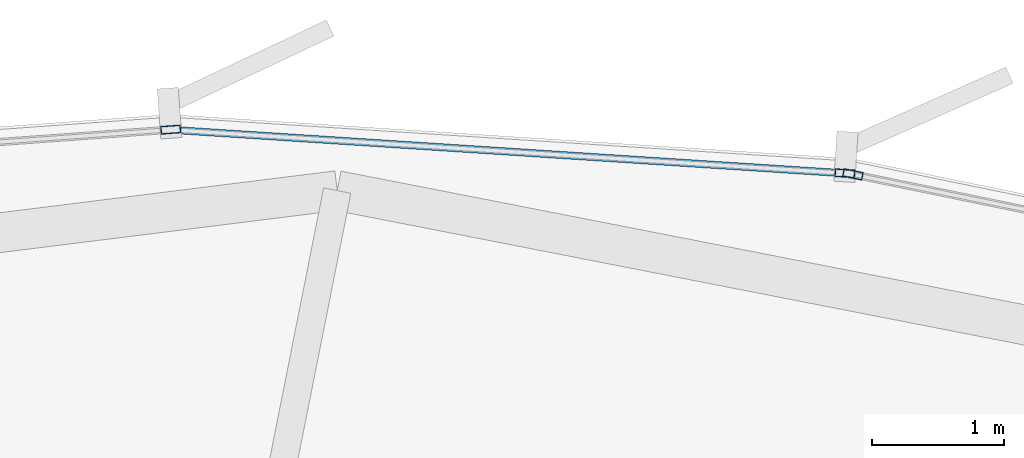
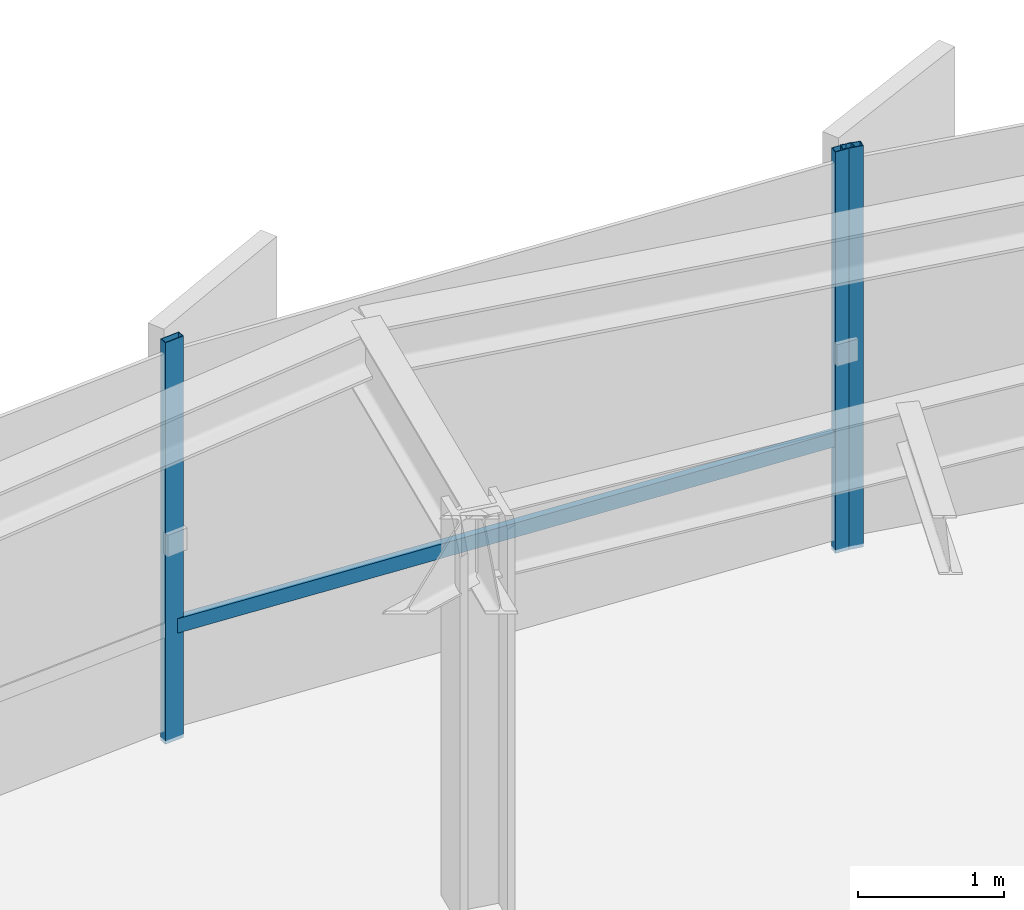
# One storey, part 27 of 35: 4 members, 2 elements without a shape of their own.
"""IFC4 building model written with IfcOpenShell, lengths in metres."""

from ifc_helpers import new_model, si_unit, direction, frame, origin, origin_2d, place, context, subcontext, project, spatial, hollow_rectangle, extrude, source, transform, mapped, material, layer, layer_set, material_profile, profile_set, type_object, element, aggregate, save


model = new_model("IFC4")

# Units and contexts
model_context = context("Model", 3, precision=1e-05, world=origin(), true_north=direction((0.0, 1.0)))
body_context = subcontext(model_context, "Body", "Model", "MODEL_VIEW")
ifc_project = project(units=[si_unit("LENGTHUNIT", "METRE"), si_unit("AREAUNIT", "SQUARE_METRE"), si_unit("VOLUMEUNIT", "CUBIC_METRE"), si_unit("PLANEANGLEUNIT", "RADIAN"), si_unit("MASSUNIT", "GRAM", prefix="KILO"), si_unit("THERMODYNAMICTEMPERATUREUNIT", "KELVIN")], contexts=[model_context])

# Site, building, storey
site_placement = place(None, origin())
site = spatial("IfcSite", under=ifc_project, at=site_placement, CompositionType="ELEMENT")
building_placement = place(site_placement, origin())
building = spatial("IfcBuilding", under=site, at=building_placement, Name="Kethvar Cultural Tower", CompositionType="ELEMENT")
storey_placement = place(building_placement, frame((0.0, 0.0, 100.0)))
storey = spatial("IfcBuildingStorey", under=building, at=storey_placement, Name="L24", CompositionType="ELEMENT", Elevation=100.0)

# Curtain wall, member
ifc_material = material(Name="Aluminium 6063-T6", Category="aluminium")
ifc_layer = layer(ifc_material, 0.179931640625, Name="Aluminium 6063-T6", Category="aluminium")
ifc_layer_set = layer_set([ifc_layer], Name="Aluminium 6063-T6 (180 mm)")
curtain_wall_type = type_object("IfcCurtainWallType", Name="CW-SYS-03-Z2", PredefinedType="NOTDEFINED", material=ifc_layer_set)
curtain_wall_1_placement = place(storey_placement, origin())
curtain_wall_1 = element("IfcCurtainWall", 1, at=curtain_wall_1_placement, inside=storey, type_object=curtain_wall_type, Name="L24 Curtain Wall Run 01", PredefinedType="NOTDEFINED")
ifc_material_profile_1 = material_profile(ifc_material, hollow_rectangle(XDim=0.06005859375, YDim=0.14990234375, WallThickness=0.0048828125, at=origin_2d()), Name="Aluminium 6063-T6 — RHS150x60x5")
ifc_profile_set_1 = profile_set([ifc_material_profile_1], Name="Aluminium 6063-T6 — RHS150x60x5")
member_type_1 = type_object("IfcMemberType", Name="CW-SYS-03-Z2-MUL", PredefinedType="MULLION", material=ifc_profile_set_1)
shared_shape_1 = source(origin(), body_context, "Body", "SweptSolid", [
    extrude(hollow_rectangle(XDim=0.06005859375, YDim=0.14990234375, WallThickness=0.0048828125, at=origin_2d()), origin(), (0.0, 0.0, 1.0), 3.35009765625),
])
member_1_placement = place(storey_placement, frame((55.44091796875, 51.725341796875, 0.0), z_axis=(0.0, 0.0, 1.0), x_axis=(-0.200924047346, -0.97960682276, 0.0)))
member_1 = element("IfcMember", 2, at=member_1_placement, type_object=member_type_1, Name="CW-L24-R01 Mullion 7", PredefinedType="MULLION", context=body_context, shape_type="MappedRepresentation", body=[
    mapped(shared_shape_1, transform((0.0, 0.0, 0.0), scale=1.0)),
])
aggregate(curtain_wall_1, [member_1])

# Curtain wall, members
curtain_wall_2_placement = place(storey_placement, origin())
curtain_wall_2 = element("IfcCurtainWall", 3, at=curtain_wall_2_placement, inside=storey, type_object=curtain_wall_type, Name="L24 Curtain Wall Run 02", PredefinedType="NOTDEFINED")
member_2_placement = place(storey_placement, frame((55.379638671875, 51.733642578125, 0.0), z_axis=(0.0, 0.0, 1.0), x_axis=(-0.064375555239, -0.997925742672, 0.0)))
member_2 = element("IfcMember", 4, at=member_2_placement, type_object=member_type_1, Name="CW-L24-R02 Mullion 1", PredefinedType="MULLION", context=body_context, shape_type="MappedRepresentation", body=[
    mapped(shared_shape_1, transform((0.0, 0.0, 0.0), scale=1.0)),
])
member_3_placement = place(storey_placement, frame((50.2734375, 52.064208984375, 0.0), z_axis=(0.0, 0.0, 1.0), x_axis=(0.07203710124, -0.997401953099, 0.0)))
member_3 = element("IfcMember", 5, at=member_3_placement, type_object=member_type_1, Name="CW-L24-R02 Mullion 2", PredefinedType="MULLION", context=body_context, shape_type="MappedRepresentation", body=[
    mapped(shared_shape_1, transform((0.0, 0.0, 0.0), scale=1.0)),
])
ifc_material_profile_2 = material_profile(ifc_material, hollow_rectangle(XDim=0.054931640625, YDim=0.1201171875, WallThickness=0.00390625, at=origin_2d()), Name="Aluminium 6063-T6 — RHS120x55x4")
ifc_profile_set_2 = profile_set([ifc_material_profile_2], Name="Aluminium 6063-T6 — RHS120x55x4")
member_type_2 = type_object("IfcMemberType", Name="CW-SYS-03-Z2-TRN", PredefinedType="USERDEFINED", material=ifc_profile_set_2)
shared_shape_2 = source(origin(), body_context, "Body", "SweptSolid", [
    extrude(hollow_rectangle(XDim=0.054931640625, YDim=0.1201171875, WallThickness=0.00390625, at=origin_2d()), origin(), (0.0, 0.0, 1.0), 5.085205078125),
])
member_4_placement = place(storey_placement, frame((55.37548828125, 51.73388671875, 0.949951171875), z_axis=(-0.997925408469, 0.064380735724, 0.0), x_axis=(-0.064380735724, -0.997925408469, 0.0)))
member_4 = element("IfcMember", 6, at=member_4_placement, type_object=member_type_2, Name="CW-L24-R02 Transom 1", ObjectType="TRANSOM", PredefinedType="USERDEFINED", context=body_context, shape_type="MappedRepresentation", body=[
    mapped(shared_shape_2, transform((0.0, 0.0, 0.0), scale=1.0)),
])
aggregate(curtain_wall_2, [member_2, member_3, member_4])

save(model, "model.ifc")
